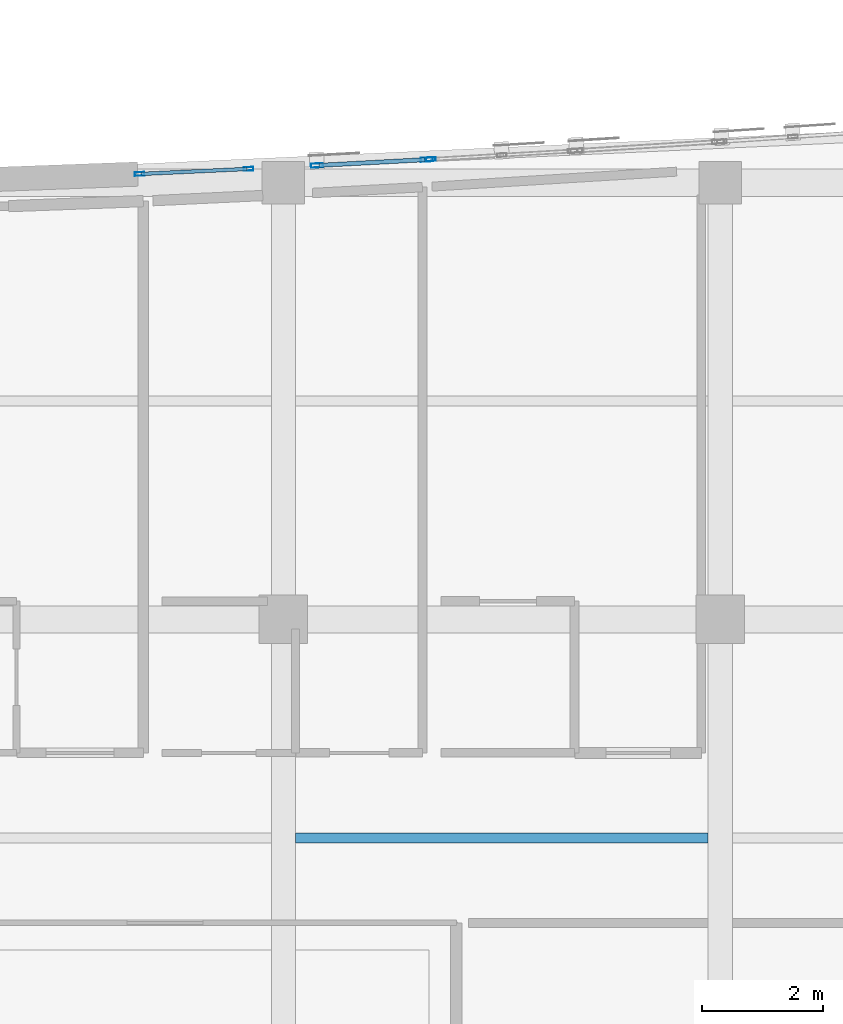
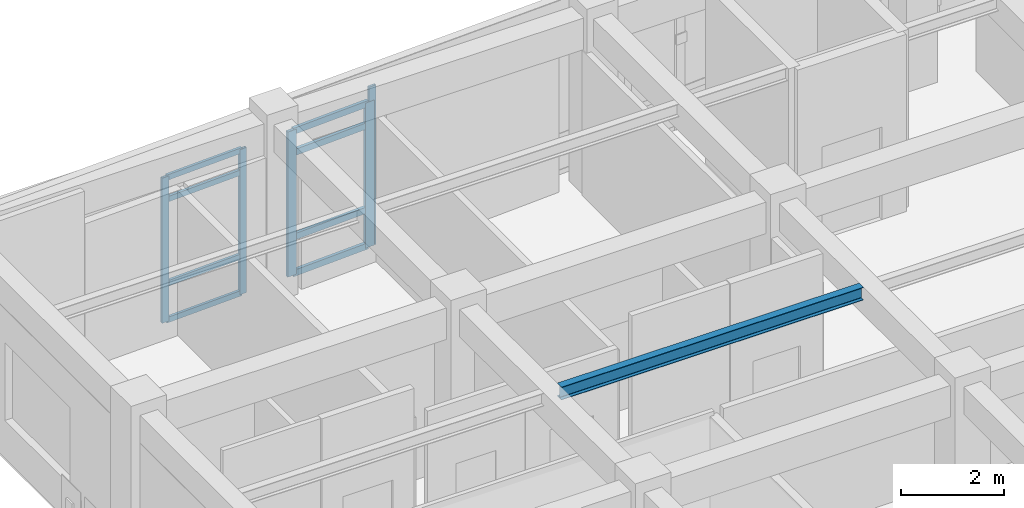
# One storey, part 25 of 106: 13 members, 1 beam, 3 elements without a shape of their own.
"""IFC4 building model written with IfcOpenShell, lengths in metres."""

from ifc_helpers import new_model, si_unit, direction, frame, origin, origin_2d, place, context, subcontext, project, spatial, hollow_rectangle, i_section, extrude, material, layer, layer_set, material_profile, profile_set, type_object, element, aggregate, save


model = new_model("IFC4")

# Units and contexts
model_context = context("Model", 3, precision=1e-05, world=origin(), true_north=direction((0.0, 1.0)))
body_context = subcontext(model_context, "Body", "Model", "MODEL_VIEW")
ifc_project = project(units=[si_unit("LENGTHUNIT", "METRE"), si_unit("AREAUNIT", "SQUARE_METRE"), si_unit("VOLUMEUNIT", "CUBIC_METRE"), si_unit("PLANEANGLEUNIT", "RADIAN"), si_unit("MASSUNIT", "GRAM", prefix="KILO")], contexts=[model_context])

# Site, building, storey
site_placement = place(None, origin())
site = spatial("IfcSite", under=ifc_project, at=site_placement, CompositionType="ELEMENT")
building_placement = place(site_placement, origin())
building = spatial("IfcBuilding", under=site, at=building_placement, Name="Carrowvane Square Congress Hotel", CompositionType="ELEMENT")
storey_placement = place(building_placement, frame((0.0, 0.0, 10.5)))
storey = spatial("IfcBuildingStorey", under=building, at=storey_placement, Name="L02", CompositionType="ELEMENT", Elevation=10.5)

# Beam
ifc_material_1 = material(Name="Steel S355", Category="steel")
ifc_material_profile_1 = material_profile(ifc_material_1, i_section(OverallWidth=0.165771484375, OverallDepth=0.306640625, WebThickness=0.006591796875, FlangeThickness=0.01171875, FilletRadius=0.0087890625, at=origin_2d()), Name="UKB 305x165x46")
ifc_profile_set_1 = profile_set([ifc_material_profile_1], Name="Steel S355")
beam_type = type_object("IfcBeamType", Name="BM-ST-UKB305", PredefinedType="JOIST", material=ifc_profile_set_1)
beam_placement = place(storey_placement, frame((40.60009765625, 102.60009765625, 4.066650390625), z_axis=(1.0, 0.0, 0.0), x_axis=(0.0, 1.0, 0.0)))
element("IfcBeam", 1, at=beam_placement, inside=storey, type_object=beam_type, Name="L03 secondary joist 5-6", PredefinedType="JOIST", context=body_context, shape_type="SweptSolid", body=[
    extrude(i_section(OverallWidth=0.165771484375, OverallDepth=0.306640625, WebThickness=0.006591796875, FlangeThickness=0.01171875, FilletRadius=0.0087890625, at=origin_2d()), origin(), (0.0, 0.0, 1.0), 6.7998046875),
])

# Curtain wall, members
ifc_material_2 = material(Name="Anodised aluminium", Category="aluminium")
ifc_layer_1 = layer(ifc_material_2, 0.18603515625)
ifc_layer_set_1 = layer_set([ifc_layer_1], Name="Anodised aluminium")
curtain_wall_type_1 = type_object("IfcCurtainWallType", Name="CW-SYS-3", PredefinedType="NOTDEFINED", material=ifc_layer_set_1)
curtain_wall_1_placement = place(storey_placement, origin())
curtain_wall_1 = element("IfcCurtainWall", 2, at=curtain_wall_1_placement, inside=storey, type_object=curtain_wall_type_1, Name="L02 unitised curtain wall 130", PredefinedType="NOTDEFINED")
ifc_material_3 = material(Name="Anodised aluminium", Category="aluminium")
ifc_material_profile_2 = material_profile(ifc_material_3, hollow_rectangle(XDim=0.06005859375, YDim=0.159912109375, WallThickness=0.00390625, at=origin_2d()), Name="CW-ML 60x160x4")
ifc_profile_set_2 = profile_set([ifc_material_profile_2], Name="Anodised aluminium")
member_type_1 = type_object("IfcMemberType", Name="CW-MUL-1", PredefinedType="MULLION", material=ifc_profile_set_2)
member_1_placement = place(storey_placement, frame((38.030029296875, 113.54248046875, 0.0), z_axis=(0.0, 0.0, 1.0), x_axis=(-0.04651698979, 0.998917498926, 0.0)))
member_1 = element("IfcMember", 3, at=member_1_placement, type_object=member_type_1, Name="CW-3 mullion 1", PredefinedType="MULLION", context=body_context, shape_type="SweptSolid", body=[
    extrude(hollow_rectangle(XDim=0.06005859375, YDim=0.159912109375, WallThickness=0.00390625, at=origin_2d()), origin(), (0.0, 0.0, 1.0), 3.455078125),
])
member_2_placement = place(storey_placement, frame((39.82568359375, 113.6259765625, 0.0), z_axis=(0.0, 0.0, 1.0), x_axis=(-0.04651698979, 0.998917498926, 0.0)))
member_2 = element("IfcMember", 4, at=member_2_placement, type_object=member_type_1, Name="CW-3 mullion 2", PredefinedType="MULLION", context=body_context, shape_type="SweptSolid", body=[
    extrude(hollow_rectangle(XDim=0.06005859375, YDim=0.159912109375, WallThickness=0.00390625, at=origin_2d()), origin(), (0.0, 0.0, 1.0), 3.455078125),
])

# Curtain wall, member
ifc_material_4 = material(Name="Anodised aluminium", Category="aluminium")
ifc_layer_2 = layer(ifc_material_4, 0.2099609375)
ifc_layer_set_2 = layer_set([ifc_layer_2], Name="Anodised aluminium")
curtain_wall_type_2 = type_object("IfcCurtainWallType", Name="CW-SYS-5", PredefinedType="NOTDEFINED", material=ifc_layer_set_2)
curtain_wall_2_placement = place(storey_placement, origin())
curtain_wall_2 = element("IfcCurtainWall", 5, at=curtain_wall_2_placement, inside=storey, type_object=curtain_wall_type_2, Name="L02 unitised curtain wall 132", PredefinedType="NOTDEFINED")
member_3_placement = place(storey_placement, frame((42.829833984375, 113.783203125, 0.0), z_axis=(0.0, 0.0, 1.0), x_axis=(-0.058988522254, 0.99825866099, 0.0)))
member_3 = element("IfcMember", 6, at=member_3_placement, type_object=member_type_1, Name="CW-5 mullion 1", PredefinedType="MULLION", context=body_context, shape_type="SweptSolid", body=[
    extrude(hollow_rectangle(XDim=0.06005859375, YDim=0.159912109375, WallThickness=0.00390625, at=origin_2d()), origin(), (0.0, 0.0, 1.0), 3.795654296875),
])
aggregate(curtain_wall_2, [member_3])

# Curtain wall, members
ifc_material_5 = material(Name="Anodised aluminium", Category="aluminium")
ifc_layer_3 = layer(ifc_material_5, 0.197998046875)
ifc_layer_set_3 = layer_set([ifc_layer_3], Name="Anodised aluminium")
curtain_wall_type_3 = type_object("IfcCurtainWallType", Name="CW-SYS-4", PredefinedType="NOTDEFINED", material=ifc_layer_set_3)
curtain_wall_3_placement = place(storey_placement, origin())
curtain_wall_3 = element("IfcCurtainWall", 7, at=curtain_wall_3_placement, inside=storey, type_object=curtain_wall_type_3, Name="L02 unitised curtain wall 131", PredefinedType="NOTDEFINED")
ifc_material_6 = material(Name="Anodised aluminium", Category="aluminium")
ifc_material_profile_3 = material_profile(ifc_material_6, hollow_rectangle(XDim=0.070068359375, YDim=0.199951171875, WallThickness=0.0048828125, at=origin_2d()), Name="CW-ML 70x200x5")
ifc_profile_set_3 = profile_set([ifc_material_profile_3], Name="Anodised aluminium")
member_type_2 = type_object("IfcMemberType", Name="CW-MUL-2", PredefinedType="MULLION", material=ifc_profile_set_3)
member_4_placement = place(storey_placement, frame((40.9541015625, 113.682373046875, 0.0), z_axis=(0.0, 0.0, 1.0), x_axis=(-0.053514573083, 0.998567068588, 0.0)))
member_4 = element("IfcMember", 8, at=member_4_placement, type_object=member_type_2, Name="CW-4 mullion 1", PredefinedType="MULLION", context=body_context, shape_type="SweptSolid", body=[
    extrude(hollow_rectangle(XDim=0.070068359375, YDim=0.199951171875, WallThickness=0.0048828125, at=origin_2d()), origin(), (0.0, 0.0, 1.0), 3.455078125),
])
member_5_placement = place(storey_placement, frame((42.764892578125, 113.779541015625, 0.0), z_axis=(0.0, 0.0, 1.0), x_axis=(-0.053514573083, 0.998567068588, 0.0)))
member_5 = element("IfcMember", 9, at=member_5_placement, type_object=member_type_2, Name="CW-4 mullion 2", PredefinedType="MULLION", context=body_context, shape_type="SweptSolid", body=[
    extrude(hollow_rectangle(XDim=0.070068359375, YDim=0.199951171875, WallThickness=0.0048828125, at=origin_2d()), origin(), (0.0, 0.0, 1.0), 3.455078125),
])

# Member
ifc_material_7 = material(Name="Anodised aluminium", Category="aluminium")
ifc_material_profile_4 = material_profile(ifc_material_7, hollow_rectangle(XDim=0.06005859375, YDim=0.1298828125, WallThickness=0.00390625, at=origin_2d()), Name="CW-TR 60x130x4")
ifc_profile_set_4 = profile_set([ifc_material_profile_4], Name="Anodised aluminium")
member_type_3 = type_object("IfcMemberType", Name="CW-TRN-1", PredefinedType="USERDEFINED", material=ifc_profile_set_4)
member_6_placement = place(storey_placement, frame((38.059814453125, 113.543701171875, 0.030029296875), z_axis=(0.998918113854, 0.046503782797, 0.0), x_axis=(-0.046503782797, 0.998918113854, 0.0)))
member_6 = element("IfcMember", 10, at=member_6_placement, type_object=member_type_3, Name="CW-3 transom 1.1", ObjectType="TRANSOM", PredefinedType="USERDEFINED", context=body_context, shape_type="SweptSolid", body=[
    extrude(hollow_rectangle(XDim=0.06005859375, YDim=0.1298828125, WallThickness=0.00390625, at=origin_2d()), origin(), (0.0, 0.0, 1.0), 1.73779296875),
])

member_7_placement = place(storey_placement, frame((38.059814453125, 113.543701171875, 0.89990234375), z_axis=(0.998918113854, 0.046503782797, 0.0), x_axis=(-0.046503782797, 0.998918113854, 0.0)))
member_7 = element("IfcMember", 11, at=member_7_placement, type_object=member_type_3, Name="CW-3 transom 1.2", ObjectType="TRANSOM", PredefinedType="USERDEFINED", context=body_context, shape_type="SweptSolid", body=[
    extrude(hollow_rectangle(XDim=0.06005859375, YDim=0.1298828125, WallThickness=0.00390625, at=origin_2d()), origin(), (0.0, 0.0, 1.0), 1.73779296875),
])

member_8_placement = place(storey_placement, frame((38.059814453125, 113.543701171875, 2.905029296875), z_axis=(0.998918113854, 0.046503782797, 0.0), x_axis=(-0.046503782797, 0.998918113854, 0.0)))
member_8 = element("IfcMember", 12, at=member_8_placement, type_object=member_type_3, Name="CW-3 transom 1.3", ObjectType="TRANSOM", PredefinedType="USERDEFINED", context=body_context, shape_type="SweptSolid", body=[
    extrude(hollow_rectangle(XDim=0.06005859375, YDim=0.1298828125, WallThickness=0.00390625, at=origin_2d()), origin(), (0.0, 0.0, 1.0), 1.73779296875),
])

member_9_placement = place(storey_placement, frame((38.059814453125, 113.543701171875, 3.425048828125), z_axis=(0.998918113854, 0.046503782797, 0.0), x_axis=(-0.046503782797, 0.998918113854, 0.0)))
member_9 = element("IfcMember", 13, at=member_9_placement, type_object=member_type_3, Name="CW-3 transom 1.4", ObjectType="TRANSOM", PredefinedType="USERDEFINED", context=body_context, shape_type="SweptSolid", body=[
    extrude(hollow_rectangle(XDim=0.06005859375, YDim=0.1298828125, WallThickness=0.00390625, at=origin_2d()), origin(), (0.0, 0.0, 1.0), 1.73779296875),
])

aggregate(curtain_wall_1, [member_1, member_2, member_6, member_7, member_8, member_9])

ifc_material_8 = material(Name="Anodised aluminium", Category="aluminium")
ifc_material_profile_5 = material_profile(ifc_material_8, hollow_rectangle(XDim=0.070068359375, YDim=0.14990234375, WallThickness=0.0048828125, at=origin_2d()), Name="CW-TR 70x150x5")
ifc_profile_set_5 = profile_set([ifc_material_profile_5], Name="Anodised aluminium")
member_type_4 = type_object("IfcMemberType", Name="CW-TRN-2", PredefinedType="USERDEFINED", material=ifc_profile_set_5)
member_10_placement = place(storey_placement, frame((40.989013671875, 113.684326171875, 0.034912109375), z_axis=(0.998568265843, 0.053492227956, 0.0), x_axis=(-0.053492227956, 0.998568265843, 0.0)))
member_10 = element("IfcMember", 14, at=member_10_placement, type_object=member_type_4, Name="CW-4 transom 1.1", ObjectType="TRANSOM", PredefinedType="USERDEFINED", context=body_context, shape_type="SweptSolid", body=[
    extrude(hollow_rectangle(XDim=0.070068359375, YDim=0.14990234375, WallThickness=0.0048828125, at=origin_2d()), origin(), (0.0, 0.0, 1.0), 1.743408203125),
])

member_11_placement = place(storey_placement, frame((40.989013671875, 113.684326171875, 0.89990234375), z_axis=(0.998568265843, 0.053492227956, 0.0), x_axis=(-0.053492227956, 0.998568265843, 0.0)))
member_11 = element("IfcMember", 15, at=member_11_placement, type_object=member_type_4, Name="CW-4 transom 1.2", ObjectType="TRANSOM", PredefinedType="USERDEFINED", context=body_context, shape_type="SweptSolid", body=[
    extrude(hollow_rectangle(XDim=0.070068359375, YDim=0.14990234375, WallThickness=0.0048828125, at=origin_2d()), origin(), (0.0, 0.0, 1.0), 1.743408203125),
])

member_12_placement = place(storey_placement, frame((40.989013671875, 113.684326171875, 2.905029296875), z_axis=(0.998568265843, 0.053492227956, 0.0), x_axis=(-0.053492227956, 0.998568265843, 0.0)))
member_12 = element("IfcMember", 16, at=member_12_placement, type_object=member_type_4, Name="CW-4 transom 1.3", ObjectType="TRANSOM", PredefinedType="USERDEFINED", context=body_context, shape_type="SweptSolid", body=[
    extrude(hollow_rectangle(XDim=0.070068359375, YDim=0.14990234375, WallThickness=0.0048828125, at=origin_2d()), origin(), (0.0, 0.0, 1.0), 1.743408203125),
])

member_13_placement = place(storey_placement, frame((40.989013671875, 113.684326171875, 3.419921875), z_axis=(0.998568265843, 0.053492227956, 0.0), x_axis=(-0.053492227956, 0.998568265843, 0.0)))
member_13 = element("IfcMember", 17, at=member_13_placement, type_object=member_type_4, Name="CW-4 transom 1.4", ObjectType="TRANSOM", PredefinedType="USERDEFINED", context=body_context, shape_type="SweptSolid", body=[
    extrude(hollow_rectangle(XDim=0.070068359375, YDim=0.14990234375, WallThickness=0.0048828125, at=origin_2d()), origin(), (0.0, 0.0, 1.0), 1.743408203125),
])

aggregate(curtain_wall_3, [member_4, member_5, member_10, member_11, member_12, member_13])

save(model, "model.ifc")
